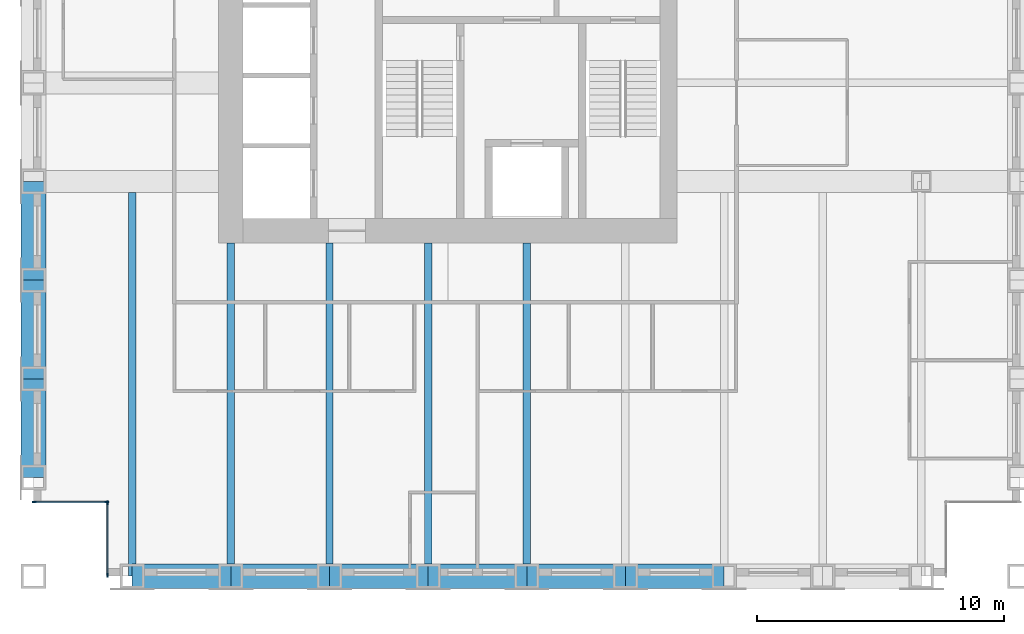
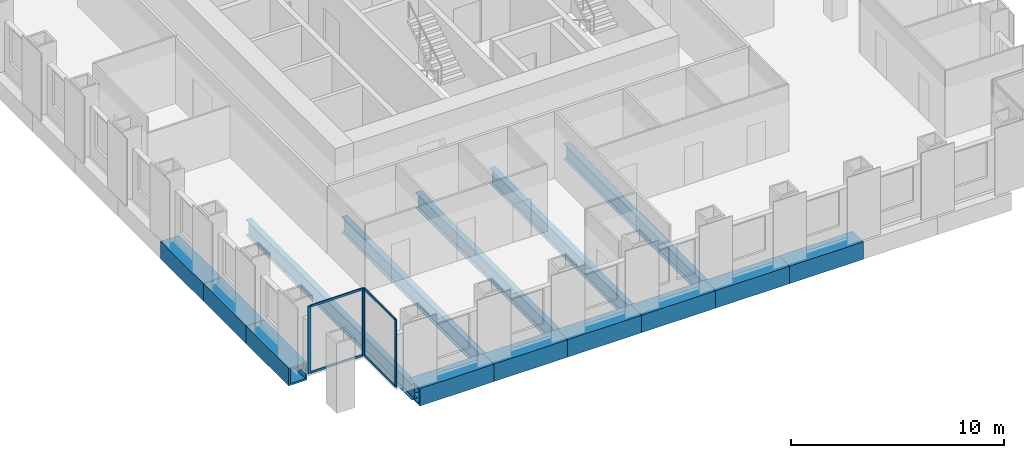
# One storey, part 2 of 13: 14 beams, 8 members, 2 elements without a shape of their own.
"""IFC4 building model written with IfcOpenShell, lengths in metres."""

from ifc_helpers import new_model, si_unit, direction, frame, origin, origin_2d, place, context, subcontext, project, spatial, rectangle, hollow_rectangle, i_section, extrude, material, material_profile, profile_set, type_object, element, aggregate, save


model = new_model("IFC4")

# Units and contexts
model_context = context("Model", 3, precision=1e-05, world=origin(), true_north=direction((0.0, 1.0)))
body_context = subcontext(model_context, "Body", "Model", "MODEL_VIEW")
ifc_project = project(units=[si_unit("LENGTHUNIT", "METRE"), si_unit("AREAUNIT", "SQUARE_METRE"), si_unit("VOLUMEUNIT", "CUBIC_METRE"), si_unit("PLANEANGLEUNIT", "RADIAN"), si_unit("MASSUNIT", "GRAM", prefix="KILO")], contexts=[model_context])

# Site, building, storey
site_placement = place(None, origin())
site = spatial("IfcSite", under=ifc_project, at=site_placement, CompositionType="ELEMENT")
building_placement = place(site_placement, origin())
building = spatial("IfcBuilding", under=site, at=building_placement, Name="Rimbunsela Tower", CompositionType="ELEMENT")
storey_placement = place(building_placement, frame((0.0, 0.0, 258.199951171875)))
storey = spatial("IfcBuildingStorey", under=building, at=storey_placement, Name="L62", CompositionType="ELEMENT", Elevation=258.199951171875)

# Beams
ifc_material_1 = material(Name="Steel BJ 55 (fy 410 MPa)", Category="steel")
ifc_material_profile_1 = material_profile(ifc_material_1, hollow_rectangle(XDim=1.0, YDim=1.0, WallThickness=0.10009765625, at=origin_2d()), Name="BOX 1000x1000x100")
ifc_profile_set_1 = profile_set([ifc_material_profile_1], Name="Steel BJ 55 (fy 410 MPa)")
beam_type_1 = type_object("IfcBeamType", Name="Beam BOX 1000x1000x100", PredefinedType="BEAM", material=ifc_profile_set_1)
for number, where, z_axis, x_axis, name in (
    (1, (10.0, 8.0, -0.64990234375), (0.0, 1.0, 0.0), (-1.0, 0.0, 0.0), "Beam B3 L62"),
    (2, (10.0, 12.0, -0.64990234375), (0.0, 1.0, 0.0), (-1.0, 0.0, 0.0), "Beam B3 L62"),
    (3, (10.0, 16.0, -0.64990234375), (0.0, 1.0, 0.0), (-1.0, 0.0, 0.0), "Beam B3 L62"),
    (4, (14.0, 4.0, -0.64990234375), (1.0, 0.0, 0.0), (0.0, 1.0, 0.0), "Beam B3 L62"),
    (5, (18.0, 4.0, -0.64990234375), (1.0, 0.0, 0.0), (0.0, 1.0, 0.0), "Beam B3 L62"),
    (6, (22.0, 4.0, -0.64990234375), (1.0, 0.0, 0.0), (0.0, 1.0, 0.0), "Beam B3 L62"),
    (7, (26.0, 4.0, -0.64990234375), (1.0, 0.0, 0.0), (0.0, 1.0, 0.0), "Beam B3 L62"),
    (8, (30.0, 4.0, -0.64990234375), (1.0, 0.0, 0.0), (0.0, 1.0, 0.0), "Beam B3 L62"),
    (9, (34.0, 4.0, -0.64990234375), (1.0, 0.0, 0.0), (0.0, 1.0, 0.0), "Beam B3 L62"),
):
    element("IfcBeam", number, at=place(storey_placement, frame(where, z_axis=z_axis, x_axis=x_axis)), inside=storey, type_object=beam_type_1, Name=name, PredefinedType="BEAM", context=body_context, shape_type="SweptSolid", body=[
        extrude(hollow_rectangle(XDim=1.0, YDim=1.0, WallThickness=0.10009765625, at=origin_2d()), origin(), (0.0, 0.0, 1.0), 4.0),
    ])
ifc_material_2 = material(Name="Steel BJ 55 (fy 410 MPa)", Category="steel")
ifc_material_profile_2 = material_profile(ifc_material_2, i_section(OverallWidth=0.300048828125, OverallDepth=0.89990234375, WebThickness=0.01611328125, FlangeThickness=0.028076171875, FilletRadius=0.028076171875, at=origin_2d()), Name="H 900x300x16x28")
ifc_profile_set_2 = profile_set([ifc_material_profile_2], Name="Steel BJ 55 (fy 410 MPa)")
beam_type_2 = type_object("IfcBeamType", Name="Beam H 900x300x16x28", PredefinedType="BEAM", material=ifc_profile_set_2)
beam_placement = place(storey_placement, frame((14.0, 4.0, -0.599853515625), z_axis=(0.0, 1.0, 0.0), x_axis=(-1.0, 0.0, 0.0)))
element("IfcBeam", 10, at=beam_placement, inside=storey, type_object=beam_type_2, Name="Beam B2 L62", PredefinedType="BEAM", context=body_context, shape_type="SweptSolid", body=[
    extrude(i_section(OverallWidth=0.300048828125, OverallDepth=0.89990234375, WebThickness=0.01611328125, FlangeThickness=0.028076171875, FilletRadius=0.028076171875, at=origin_2d()), origin(), (0.0, 0.0, 1.0), 15.550048828125),
])
for number, where, z_axis, x_axis, name in (
    (11, (18.0, 4.0, -0.599853515625), (0.0, 1.0, 0.0), (-1.0, 0.0, 0.0), "Beam B2 L62"),
    (12, (22.0, 4.0, -0.599853515625), (0.0, 1.0, 0.0), (-1.0, 0.0, 0.0), "Beam B2 L62"),
    (13, (26.0, 4.0, -0.599853515625), (0.0, 1.0, 0.0), (-1.0, 0.0, 0.0), "Beam B2 L62"),
    (14, (30.0, 4.0, -0.599853515625), (0.0, 1.0, 0.0), (-1.0, 0.0, 0.0), "Beam B2 L62"),
):
    element("IfcBeam", number, at=place(storey_placement, frame(where, z_axis=z_axis, x_axis=x_axis)), inside=storey, type_object=beam_type_2, Name=name, PredefinedType="BEAM", context=body_context, shape_type="SweptSolid", body=[
        extrude(i_section(OverallWidth=0.300048828125, OverallDepth=0.89990234375, WebThickness=0.01611328125, FlangeThickness=0.028076171875, FilletRadius=0.028076171875, at=origin_2d()), origin(), (0.0, 0.0, 1.0), 13.5),
    ])

# Curtain wall, members
ifc_material_3 = material(Name="Aluminium curtain wall", Category="aluminium")
curtain_wall_type = type_object("IfcCurtainWallType", Name="Corner glazing", PredefinedType="USERDEFINED", material=ifc_material_3)
curtain_wall_1_placement = place(storey_placement, origin())
curtain_wall_1 = element("IfcCurtainWall", 15, at=curtain_wall_1_placement, inside=storey, type_object=curtain_wall_type, Name="Corner glazing L62", ObjectType="CORNER GLAZING", PredefinedType="USERDEFINED")
ifc_material_4 = material(Name="Aluminium mullion", Category="aluminium")
ifc_material_profile_3 = material_profile(ifc_material_4, rectangle(XDim=0.06005859375, YDim=0.159912109375, at=origin_2d()), Name="Mullion 60x160")
ifc_profile_set_3 = profile_set([ifc_material_profile_3], Name="Aluminium mullion")
member_type_1 = type_object("IfcMemberType", Name="Curtain wall mullion 60x160", PredefinedType="MULLION", material=ifc_profile_set_3)
member_1_placement = place(storey_placement, frame((10.030029296875, 7.0, 0.0), z_axis=(0.0, 0.0, 1.0), x_axis=(0.0, 1.0, 0.0)))
member_1 = element("IfcMember", 16, at=member_1_placement, type_object=member_type_1, Name="CW5 mullion 1", PredefinedType="MULLION", context=body_context, shape_type="SweptSolid", body=[
    extrude(rectangle(XDim=0.06005859375, YDim=0.159912109375, at=origin_2d()), origin(), (0.0, 0.0, 1.0), 3.85009765625),
])
member_2_placement = place(storey_placement, frame((12.969970703125, 7.0, 0.0), z_axis=(0.0, 0.0, 1.0), x_axis=(0.0, 1.0, 0.0)))
member_2 = element("IfcMember", 17, at=member_2_placement, type_object=member_type_1, Name="CW5 mullion 2", PredefinedType="MULLION", context=body_context, shape_type="SweptSolid", body=[
    extrude(rectangle(XDim=0.06005859375, YDim=0.159912109375, at=origin_2d()), origin(), (0.0, 0.0, 1.0), 3.85009765625),
])

curtain_wall_2_placement = place(storey_placement, origin())
curtain_wall_2 = element("IfcCurtainWall", 18, at=curtain_wall_2_placement, inside=storey, type_object=curtain_wall_type, Name="Corner glazing L62", ObjectType="CORNER GLAZING", PredefinedType="USERDEFINED")
member_3_placement = place(storey_placement, frame((13.0, 6.969970703125, 0.0), z_axis=(0.0, 0.0, 1.0), x_axis=(1.0, 0.0, 0.0)))
member_3 = element("IfcMember", 19, at=member_3_placement, type_object=member_type_1, Name="CW5 mullion 1", PredefinedType="MULLION", context=body_context, shape_type="SweptSolid", body=[
    extrude(rectangle(XDim=0.06005859375, YDim=0.159912109375, at=origin_2d()), origin(), (0.0, 0.0, 1.0), 3.85009765625),
])
member_4_placement = place(storey_placement, frame((13.0, 4.030029296875, 0.0), z_axis=(0.0, 0.0, 1.0), x_axis=(1.0, 0.0, 0.0)))
member_4 = element("IfcMember", 20, at=member_4_placement, type_object=member_type_1, Name="CW5 mullion 2", PredefinedType="MULLION", context=body_context, shape_type="SweptSolid", body=[
    extrude(rectangle(XDim=0.06005859375, YDim=0.159912109375, at=origin_2d()), origin(), (0.0, 0.0, 1.0), 3.85009765625),
])

# Member
ifc_material_5 = material(Name="Aluminium transom", Category="aluminium")
ifc_material_profile_4 = material_profile(ifc_material_5, rectangle(XDim=0.06005859375, YDim=0.1201171875, at=origin_2d()), Name="Transom 60x120")
ifc_profile_set_4 = profile_set([ifc_material_profile_4], Name="Aluminium transom")
member_type_2 = type_object("IfcMemberType", Name="Curtain wall transom 60x120", PredefinedType="USERDEFINED", material=ifc_profile_set_4)
member_5_placement = place(storey_placement, frame((10.06005859375, 7.0, 0.030029296875), z_axis=(1.0, 0.0, 0.0), x_axis=(0.0, 1.0, 0.0)))
member_5 = element("IfcMember", 21, at=member_5_placement, type_object=member_type_2, Name="CW5 transom 1.1", ObjectType="TRANSOM", PredefinedType="USERDEFINED", context=body_context, shape_type="SweptSolid", body=[
    extrude(rectangle(XDim=0.06005859375, YDim=0.1201171875, at=origin_2d()), origin(), (0.0, 0.0, 1.0), 2.8798828125),
])

member_6_placement = place(storey_placement, frame((10.06005859375, 7.0, 3.820068359375), z_axis=(1.0, 0.0, 0.0), x_axis=(0.0, 1.0, 0.0)))
member_6 = element("IfcMember", 22, at=member_6_placement, type_object=member_type_2, Name="CW5 transom 1.2", ObjectType="TRANSOM", PredefinedType="USERDEFINED", context=body_context, shape_type="SweptSolid", body=[
    extrude(rectangle(XDim=0.06005859375, YDim=0.1201171875, at=origin_2d()), origin(), (0.0, 0.0, 1.0), 2.8798828125),
])

aggregate(curtain_wall_1, [member_1, member_2, member_5, member_6])

member_7_placement = place(storey_placement, frame((13.0, 6.93994140625, 0.030029296875), z_axis=(0.0, -1.0, 0.0), x_axis=(1.0, 0.0, 0.0)))
member_7 = element("IfcMember", 23, at=member_7_placement, type_object=member_type_2, Name="CW5 transom 1.1", ObjectType="TRANSOM", PredefinedType="USERDEFINED", context=body_context, shape_type="SweptSolid", body=[
    extrude(rectangle(XDim=0.06005859375, YDim=0.1201171875, at=origin_2d()), origin(), (0.0, 0.0, 1.0), 2.8798828125),
])

member_8_placement = place(storey_placement, frame((13.0, 6.93994140625, 3.820068359375), z_axis=(0.0, -1.0, 0.0), x_axis=(1.0, 0.0, 0.0)))
member_8 = element("IfcMember", 24, at=member_8_placement, type_object=member_type_2, Name="CW5 transom 1.2", ObjectType="TRANSOM", PredefinedType="USERDEFINED", context=body_context, shape_type="SweptSolid", body=[
    extrude(rectangle(XDim=0.06005859375, YDim=0.1201171875, at=origin_2d()), origin(), (0.0, 0.0, 1.0), 2.8798828125),
])

aggregate(curtain_wall_2, [member_3, member_4, member_7, member_8])

save(model, "model.ifc")
